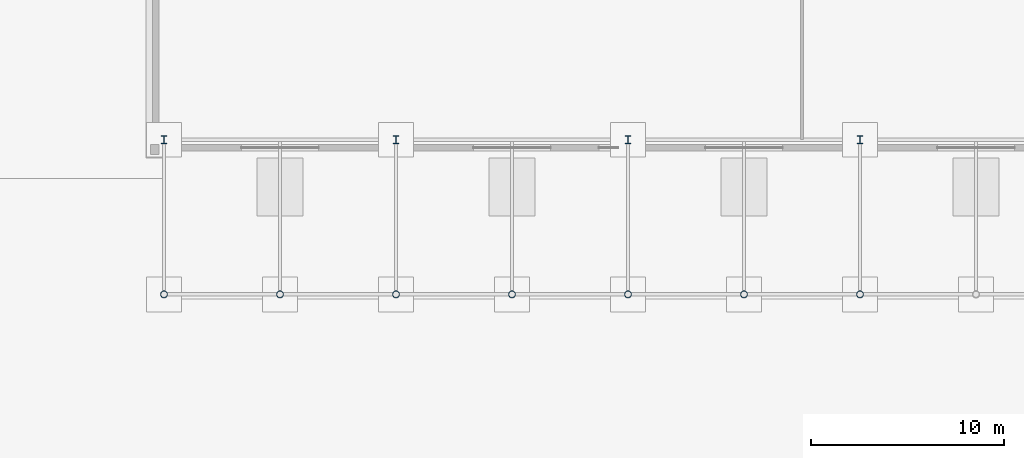
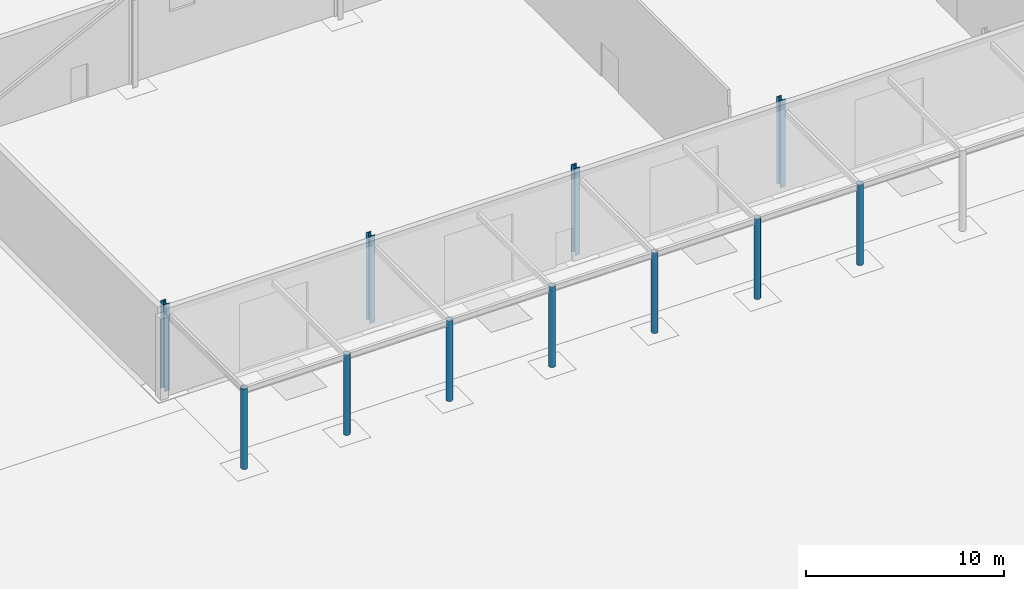
# One storey, part 41 of 132: 11 columns.
"""IFC4 building model written with IfcOpenShell, lengths in metres."""

from ifc_helpers import new_model, si_unit, direction, frame, origin, origin_2d, place, context, subcontext, project, spatial, hollow_circle, i_section, extrude, material, material_profile, profile_set, type_object, element, save


model = new_model("IFC4")

# Units and contexts
model_context = context("Model", 3, precision=1e-05, world=origin(), true_north=direction((0.0, 1.0)))
body_context = subcontext(model_context, "Body", "Model", "MODEL_VIEW")
ifc_project = project(units=[si_unit("LENGTHUNIT", "METRE"), si_unit("AREAUNIT", "SQUARE_METRE"), si_unit("VOLUMEUNIT", "CUBIC_METRE"), si_unit("PLANEANGLEUNIT", "RADIAN"), si_unit("MASSUNIT", "GRAM", prefix="KILO")], contexts=[model_context])

# Site, building, storey
site_placement = place(None, origin())
site = spatial("IfcSite", under=ifc_project, at=site_placement, CompositionType="ELEMENT")
building_placement = place(site_placement, origin())
building = spatial("IfcBuilding", under=site, at=building_placement, Name="Ravi Spectrum Wholesale Market", CompositionType="ELEMENT")
storey_placement = place(building_placement, origin())
storey = spatial("IfcBuildingStorey", under=building, at=storey_placement, Name="L00", CompositionType="ELEMENT", Elevation=0.0)

# Columns
ifc_material_1 = material(Name="Steel S355", Category="steel")
ifc_material_profile_1 = material_profile(ifc_material_1, hollow_circle(Radius=0.177734375, WallThickness=0.012451171875, at=origin_2d()))
ifc_profile_set_1 = profile_set([ifc_material_profile_1], Name="Steel S355")
column_type_1 = type_object("IfcColumnType", Name="CHS 355.6x12.5 column", PredefinedType="COLUMN", material=ifc_profile_set_1)
for number, where, z_axis, x_axis, name in (
    (1, (222.0, 154.0, 0.0), (0.0, 0.0, 1.0), (1.0, 0.0, 0.0), "GS-COL-L00-015"),
    (2, (228.0, 154.0, 0.0), (0.0, 0.0, 1.0), (1.0, 0.0, 0.0), "GS-COL-L00-016"),
    (3, (234.0, 154.0, 0.0), (0.0, 0.0, 1.0), (1.0, 0.0, 0.0), "GS-COL-L00-017"),
    (4, (240.0, 154.0, 0.0), (0.0, 0.0, 1.0), (1.0, 0.0, 0.0), "GS-COL-L00-018"),
    (5, (246.0, 154.0, 0.0), (0.0, 0.0, 1.0), (1.0, 0.0, 0.0), "GS-COL-L00-019"),
    (6, (252.0, 154.0, 0.0), (0.0, 0.0, 1.0), (1.0, 0.0, 0.0), "GS-COL-L00-020"),
    (7, (258.0, 154.0, 0.0), (0.0, 0.0, 1.0), (1.0, 0.0, 0.0), "GS-COL-L00-021"),
):
    element("IfcColumn", number, at=place(storey_placement, frame(where, z_axis=z_axis, x_axis=x_axis)), inside=storey, type_object=column_type_1, Name=name, PredefinedType="COLUMN", context=body_context, shape_type="SweptSolid", body=[
        extrude(hollow_circle(Radius=0.177734375, WallThickness=0.012451171875, at=origin_2d()), origin(), (0.0, 0.0, 1.0), 4.97998046875),
    ])
ifc_material_2 = material(Name="Steel S355", Category="steel")
ifc_material_profile_2 = material_profile(ifc_material_2, i_section(OverallWidth=0.300048828125, OverallDepth=0.39990234375, WebThickness=0.013427734375, FlangeThickness=0.02392578125, at=origin_2d()))
ifc_profile_set_2 = profile_set([ifc_material_profile_2], Name="Steel S355")
column_type_2 = type_object("IfcColumnType", Name="HEB 400 column", PredefinedType="COLUMN", material=ifc_profile_set_2)
for number, where, z_axis, x_axis, name in (
    (8, (222.0, 162.0, 0.0), (0.0, 0.0, 1.0), (1.0, 0.0, 0.0), "GS-COL-L00-001"),
    (9, (234.0, 162.0, 0.0), (0.0, 0.0, 1.0), (1.0, 0.0, 0.0), "GS-COL-L00-003"),
    (10, (246.0, 162.0, 0.0), (0.0, 0.0, 1.0), (1.0, 0.0, 0.0), "GS-COL-L00-005"),
    (11, (258.0, 162.0, 0.0), (0.0, 0.0, 1.0), (1.0, 0.0, 0.0), "GS-COL-L00-007"),
):
    element("IfcColumn", number, at=place(storey_placement, frame(where, z_axis=z_axis, x_axis=x_axis)), inside=storey, type_object=column_type_2, Name=name, PredefinedType="COLUMN", context=body_context, shape_type="SweptSolid", body=[
        extrude(i_section(OverallWidth=0.300048828125, OverallDepth=0.39990234375, WebThickness=0.013427734375, FlangeThickness=0.02392578125, at=origin_2d()), origin(), (0.0, 0.0, 1.0), 5.39990234375),
    ])

save(model, "model.ifc")
